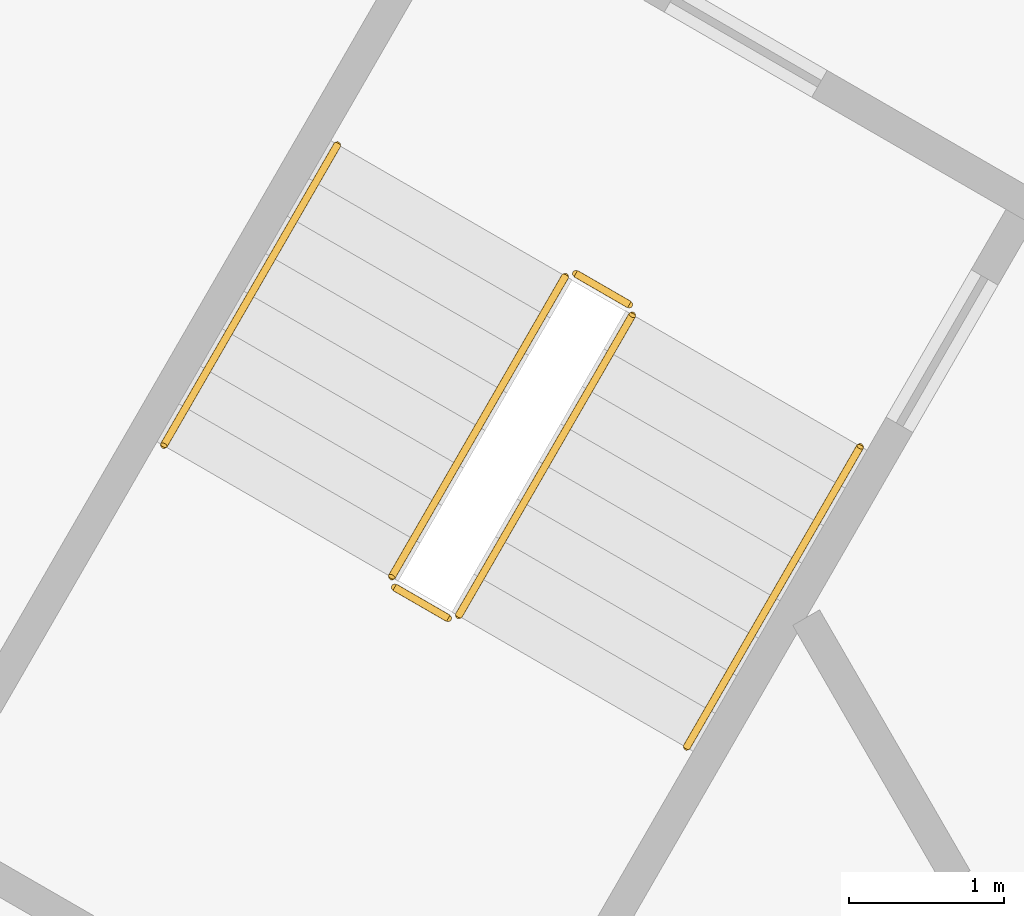
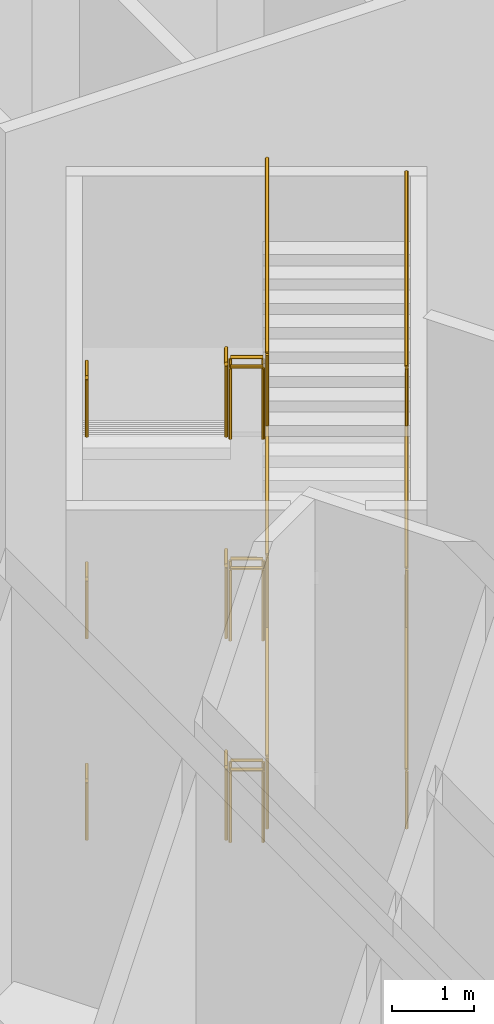
# One storey, part 27 of 36: 18 railings.
"""IFC4 building model written with IfcOpenShell, lengths in metres."""

from ifc_helpers import new_model, si_unit, direction, frame, origin, origin_2d, place, context, subcontext, project, spatial, circle, extrude, material, type_object, element, save


model = new_model("IFC4")

# Units and contexts
model_context = context("Model", 3, precision=1e-05, world=origin(), true_north=direction((0.0, 1.0)))
body_context = subcontext(model_context, "Body", "Model", "MODEL_VIEW")
ifc_project = project(units=[si_unit("LENGTHUNIT", "METRE"), si_unit("AREAUNIT", "SQUARE_METRE"), si_unit("VOLUMEUNIT", "CUBIC_METRE"), si_unit("PLANEANGLEUNIT", "RADIAN"), si_unit("MASSUNIT", "GRAM", prefix="KILO")], contexts=[model_context])

# Site, building, storey
site_placement = place(None, origin())
site = spatial("IfcSite", under=ifc_project, at=site_placement, CompositionType="ELEMENT")
building_placement = place(site_placement, origin())
building = spatial("IfcBuilding", under=site, at=building_placement, Name="Entoto Arch Interchange Tower", CompositionType="ELEMENT")
storey_placement = place(building_placement, origin())
storey = spatial("IfcBuildingStorey", under=building, at=storey_placement, Name="L00", CompositionType="ELEMENT", Elevation=0.0)

# Railings
ifc_material = material(Name="Stainless steel 1.4301", Category="steel")
railing_type_1 = type_object("IfcRailingType", Name="STAIR GUARD 1100 STEEL", PredefinedType="GUARDRAIL", material=ifc_material)
railing_1_placement = place(storey_placement, frame((-4.327880859375, 6.904052734375, 0.166748046875)))
element("IfcRailing", 1, at=railing_1_placement, inside=storey, type_object=railing_type_1, Name="L00 ST-NW stair guard 1", PredefinedType="GUARDRAIL", context=body_context, shape_type="SweptSolid", body=[
    extrude(circle(Radius=0.02392578125, at=origin_2d()), frame((0.0, 0.0, 1.076171875), z_axis=(-0.429608131991, -0.744204538217, 0.51146501173), x_axis=(0.866054910533, -0.49994888933, 0.0)), (0.0, 0.0, 1.0), 2.606689453125),
    extrude(circle(Radius=0.02099609375, at=origin_2d()), origin(), (0.0, 0.0, 1.0), 1.052001953125),
    extrude(circle(Radius=0.02099609375, at=origin_2d()), frame((-0.373291015625, -0.646728515625, 0.4443359375)), (0.0, 0.0, 1.0), 1.052001953125),
    extrude(circle(Radius=0.02099609375, at=origin_2d()), frame((-0.74658203125, -1.293212890625, 0.888916015625)), (0.0, 0.0, 1.0), 1.052001953125),
    extrude(circle(Radius=0.02099609375, at=origin_2d()), frame((-1.119873046875, -1.93994140625, 1.333251953125)), (0.0, 0.0, 1.0), 1.052001953125),
])
railing_2_placement = place(storey_placement, frame((-5.429443359375, 4.895751953125, 1.5)))
element("IfcRailing", 2, at=railing_2_placement, inside=storey, type_object=railing_type_1, Name="L00 ST-NW stair guard 2", PredefinedType="GUARDRAIL", context=body_context, shape_type="SweptSolid", body=[
    extrude(circle(Radius=0.02392578125, at=origin_2d()), frame((0.0, 0.0, 1.076171875), z_axis=(0.865941482684, -0.500145327446, 0.0), x_axis=(0.500145327446, 0.865941482684, 0.0)), (0.0, 0.0, 1.0), 0.39990234375),
    extrude(circle(Radius=0.02099609375, at=origin_2d()), origin(), (0.0, 0.0, 1.0), 1.052001953125),
    extrude(circle(Radius=0.02099609375, at=origin_2d()), frame((0.34619140625, -0.199951171875, 0.0)), (0.0, 0.0, 1.0), 1.052001953125),
])
railing_3_placement = place(storey_placement, frame((-5.014892578125, 4.714111328125, 1.666748046875)))
element("IfcRailing", 3, at=railing_3_placement, inside=storey, type_object=railing_type_1, Name="L00 ST-NW stair guard 3", PredefinedType="GUARDRAIL", context=body_context, shape_type="SweptSolid", body=[
    extrude(circle(Radius=0.02392578125, at=origin_2d()), frame((0.0, 0.0, 1.076171875), z_axis=(0.429684499369, 0.744174592847, 0.511444431354), x_axis=(-0.866007717299, 0.500030632641, 0.0)), (0.0, 0.0, 1.0), 2.60693359375),
    extrude(circle(Radius=0.02099609375, at=origin_2d()), origin(), (0.0, 0.0, 1.0), 1.052001953125),
    extrude(circle(Radius=0.02099609375, at=origin_2d()), frame((0.373291015625, 0.646728515625, 0.4443359375)), (0.0, 0.0, 1.0), 1.052001953125),
    extrude(circle(Radius=0.02099609375, at=origin_2d()), frame((0.746826171875, 1.293212890625, 0.888916015625)), (0.0, 0.0, 1.0), 1.052001953125),
    extrude(circle(Radius=0.02099609375, at=origin_2d()), frame((1.1201171875, 1.93994140625, 1.333251953125)), (0.0, 0.0, 1.0), 1.052001953125),
])
railing_4_placement = place(storey_placement, frame((-4.259521484375, 6.92236328125, 3.0)))
element("IfcRailing", 4, at=railing_4_placement, inside=storey, type_object=railing_type_1, Name="L00 ST-NW stair guard 4", PredefinedType="GUARDRAIL", context=body_context, shape_type="SweptSolid", body=[
    extrude(circle(Radius=0.02392578125, at=origin_2d()), frame((0.0, 0.0, 1.076171875), z_axis=(0.865829829939, -0.500338590944, 0.0), x_axis=(0.500338590944, 0.865829829939, 0.0)), (0.0, 0.0, 1.0), 0.400146484375),
    extrude(circle(Radius=0.02099609375, at=origin_2d()), origin(), (0.0, 0.0, 1.0), 1.052001953125),
    extrude(circle(Radius=0.02099609375, at=origin_2d()), frame((0.346435546875, -0.2001953125, 0.0)), (0.0, 0.0, 1.0), 1.052001953125),
])
railing_5_placement = place(storey_placement, frame((-4.327880859375, 6.904052734375, 3.166748046875)))
element("IfcRailing", 5, at=railing_5_placement, inside=storey, type_object=railing_type_1, Name="L00 ST-NW stair guard 5", PredefinedType="GUARDRAIL", context=body_context, shape_type="SweptSolid", body=[
    extrude(circle(Radius=0.02392578125, at=origin_2d()), frame((0.0, 0.0, 1.076171875), z_axis=(-0.429608131991, -0.744204538217, 0.51146501173), x_axis=(0.866054910533, -0.49994888933, 0.0)), (0.0, 0.0, 1.0), 2.606689453125),
    extrude(circle(Radius=0.02099609375, at=origin_2d()), origin(), (0.0, 0.0, 1.0), 1.052001953125),
    extrude(circle(Radius=0.02099609375, at=origin_2d()), frame((-0.373291015625, -0.646728515625, 0.4443359375)), (0.0, 0.0, 1.0), 1.052001953125),
    extrude(circle(Radius=0.02099609375, at=origin_2d()), frame((-0.74658203125, -1.293212890625, 0.888916015625)), (0.0, 0.0, 1.0), 1.052001953125),
    extrude(circle(Radius=0.02099609375, at=origin_2d()), frame((-1.119873046875, -1.93994140625, 1.333251953125)), (0.0, 0.0, 1.0), 1.052001953125),
])
railing_6_placement = place(storey_placement, frame((-5.429443359375, 4.895751953125, 4.5)))
element("IfcRailing", 6, at=railing_6_placement, inside=storey, type_object=railing_type_1, Name="L00 ST-NW stair guard 6", PredefinedType="GUARDRAIL", context=body_context, shape_type="SweptSolid", body=[
    extrude(circle(Radius=0.02392578125, at=origin_2d()), frame((0.0, 0.0, 1.076171875), z_axis=(0.865941482684, -0.500145327446, 0.0), x_axis=(0.500145327446, 0.865941482684, 0.0)), (0.0, 0.0, 1.0), 0.39990234375),
    extrude(circle(Radius=0.02099609375, at=origin_2d()), origin(), (0.0, 0.0, 1.0), 1.052001953125),
    extrude(circle(Radius=0.02099609375, at=origin_2d()), frame((0.34619140625, -0.199951171875, 0.0)), (0.0, 0.0, 1.0), 1.052001953125),
])
railing_7_placement = place(storey_placement, frame((-5.014892578125, 4.714111328125, 4.666748046875)))
element("IfcRailing", 7, at=railing_7_placement, inside=storey, type_object=railing_type_1, Name="L00 ST-NW stair guard 7", PredefinedType="GUARDRAIL", context=body_context, shape_type="SweptSolid", body=[
    extrude(circle(Radius=0.02392578125, at=origin_2d()), frame((0.0, 0.0, 1.076171875), z_axis=(0.429684499369, 0.744174592847, 0.511444431354), x_axis=(-0.866007717299, 0.500030632641, 0.0)), (0.0, 0.0, 1.0), 2.60693359375),
    extrude(circle(Radius=0.02099609375, at=origin_2d()), origin(), (0.0, 0.0, 1.0), 1.052001953125),
    extrude(circle(Radius=0.02099609375, at=origin_2d()), frame((0.373291015625, 0.646728515625, 0.4443359375)), (0.0, 0.0, 1.0), 1.052001953125),
    extrude(circle(Radius=0.02099609375, at=origin_2d()), frame((0.746826171875, 1.293212890625, 0.888916015625)), (0.0, 0.0, 1.0), 1.052001953125),
    extrude(circle(Radius=0.02099609375, at=origin_2d()), frame((1.1201171875, 1.93994140625, 1.333251953125)), (0.0, 0.0, 1.0), 1.052001953125),
])
railing_8_placement = place(storey_placement, frame((-4.259521484375, 6.92236328125, 6.0)))
element("IfcRailing", 8, at=railing_8_placement, inside=storey, type_object=railing_type_1, Name="L00 ST-NW stair guard 8", PredefinedType="GUARDRAIL", context=body_context, shape_type="SweptSolid", body=[
    extrude(circle(Radius=0.02392578125, at=origin_2d()), frame((0.0, 0.0, 1.076171875), z_axis=(0.865829829939, -0.500338590944, 0.0), x_axis=(0.500338590944, 0.865829829939, 0.0)), (0.0, 0.0, 1.0), 0.400146484375),
    extrude(circle(Radius=0.02099609375, at=origin_2d()), origin(), (0.0, 0.0, 1.0), 1.052001953125),
    extrude(circle(Radius=0.02099609375, at=origin_2d()), frame((0.346435546875, -0.2001953125, 0.0)), (0.0, 0.0, 1.0), 1.052001953125),
])
railing_9_placement = place(storey_placement, frame((-4.327880859375, 6.904052734375, 6.166748046875)))
element("IfcRailing", 9, at=railing_9_placement, inside=storey, type_object=railing_type_1, Name="L00 ST-NW stair guard 9", PredefinedType="GUARDRAIL", context=body_context, shape_type="SweptSolid", body=[
    extrude(circle(Radius=0.02392578125, at=origin_2d()), frame((0.0, 0.0, 1.076171875), z_axis=(-0.429608131991, -0.744204538217, 0.51146501173), x_axis=(0.866054910533, -0.49994888933, 0.0)), (0.0, 0.0, 1.0), 2.606689453125),
    extrude(circle(Radius=0.02099609375, at=origin_2d()), origin(), (0.0, 0.0, 1.0), 1.052001953125),
    extrude(circle(Radius=0.02099609375, at=origin_2d()), frame((-0.373291015625, -0.646728515625, 0.4443359375)), (0.0, 0.0, 1.0), 1.052001953125),
    extrude(circle(Radius=0.02099609375, at=origin_2d()), frame((-0.74658203125, -1.293212890625, 0.888916015625)), (0.0, 0.0, 1.0), 1.052001953125),
    extrude(circle(Radius=0.02099609375, at=origin_2d()), frame((-1.119873046875, -1.93994140625, 1.333251953125)), (0.0, 0.0, 1.0), 1.052001953125),
])
railing_10_placement = place(storey_placement, frame((-5.429443359375, 4.895751953125, 7.5)))
element("IfcRailing", 10, at=railing_10_placement, inside=storey, type_object=railing_type_1, Name="L00 ST-NW stair guard 10", PredefinedType="GUARDRAIL", context=body_context, shape_type="SweptSolid", body=[
    extrude(circle(Radius=0.02392578125, at=origin_2d()), frame((0.0, 0.0, 1.076171875), z_axis=(0.865941482684, -0.500145327446, 0.0), x_axis=(0.500145327446, 0.865941482684, 0.0)), (0.0, 0.0, 1.0), 0.39990234375),
    extrude(circle(Radius=0.02099609375, at=origin_2d()), origin(), (0.0, 0.0, 1.0), 1.052001953125),
    extrude(circle(Radius=0.02099609375, at=origin_2d()), frame((0.34619140625, -0.199951171875, 0.0)), (0.0, 0.0, 1.0), 1.052001953125),
])
railing_11_placement = place(storey_placement, frame((-5.014892578125, 4.714111328125, 7.666748046875)))
element("IfcRailing", 11, at=railing_11_placement, inside=storey, type_object=railing_type_1, Name="L00 ST-NW stair guard 11", PredefinedType="GUARDRAIL", context=body_context, shape_type="SweptSolid", body=[
    extrude(circle(Radius=0.02392578125, at=origin_2d()), frame((0.0, 0.0, 1.076171875), z_axis=(0.429684499369, 0.744174592847, 0.511444431354), x_axis=(-0.866007717299, 0.500030632641, 0.0)), (0.0, 0.0, 1.0), 2.60693359375),
    extrude(circle(Radius=0.02099609375, at=origin_2d()), origin(), (0.0, 0.0, 1.0), 1.052001953125),
    extrude(circle(Radius=0.02099609375, at=origin_2d()), frame((0.373291015625, 0.646728515625, 0.4443359375)), (0.0, 0.0, 1.0), 1.052001953125),
    extrude(circle(Radius=0.02099609375, at=origin_2d()), frame((0.746826171875, 1.293212890625, 0.888916015625)), (0.0, 0.0, 1.0), 1.052001953125),
    extrude(circle(Radius=0.02099609375, at=origin_2d()), frame((1.1201171875, 1.93994140625, 1.333251953125)), (0.0, 0.0, 1.0), 1.052001953125),
])
railing_12_placement = place(storey_placement, frame((-4.259521484375, 6.92236328125, 0.0)))
element("IfcRailing", 12, at=railing_12_placement, inside=storey, type_object=railing_type_1, Name="L00 ST-NW stair guard 12", PredefinedType="GUARDRAIL", context=body_context, shape_type="SweptSolid", body=[
    extrude(circle(Radius=0.02392578125, at=origin_2d()), frame((0.0, 0.0, 1.076171875), z_axis=(0.865829829939, -0.500338590944, 0.0), x_axis=(0.500338590944, 0.865829829939, 0.0)), (0.0, 0.0, 1.0), 0.400146484375),
    extrude(circle(Radius=0.02099609375, at=origin_2d()), origin(), (0.0, 0.0, 1.0), 1.052001953125),
    extrude(circle(Radius=0.02099609375, at=origin_2d()), frame((0.346435546875, -0.2001953125, 0.0)), (0.0, 0.0, 1.0), 1.052001953125),
])
railing_type_2 = type_object("IfcRailingType", Name="STAIR HANDRAIL 900 STEEL", PredefinedType="HANDRAIL", material=ifc_material)
railing_13_placement = place(storey_placement, frame((-5.800048828125, 7.75390625, 0.166748046875)))
element("IfcRailing", 13, at=railing_13_placement, inside=storey, type_object=railing_type_2, Name="L00 ST-NW stair handrail 1", PredefinedType="HANDRAIL", context=body_context, shape_type="SweptSolid", body=[
    extrude(circle(Radius=0.02392578125, at=origin_2d()), frame((0.0, 0.0, 0.8759765625), z_axis=(-0.429684499369, -0.744174592847, 0.511444431354), x_axis=(0.866007717299, -0.500030632641, 0.0)), (0.0, 0.0, 1.0), 2.60693359375),
    extrude(circle(Radius=0.02099609375, at=origin_2d()), origin(), (0.0, 0.0, 1.0), 0.851806640625),
    extrude(circle(Radius=0.02099609375, at=origin_2d()), frame((-0.373291015625, -0.646728515625, 0.4443359375)), (0.0, 0.0, 1.0), 0.851806640625),
    extrude(circle(Radius=0.02099609375, at=origin_2d()), frame((-0.746826171875, -1.293212890625, 0.888916015625)), (0.0, 0.0, 1.0), 0.851806640625),
    extrude(circle(Radius=0.02099609375, at=origin_2d()), frame((-1.1201171875, -1.93994140625, 1.333251953125)), (0.0, 0.0, 1.0), 0.851806640625),
])
railing_14_placement = place(storey_placement, frame((-3.54248046875, 3.864013671875, 1.666748046875)))
element("IfcRailing", 14, at=railing_14_placement, inside=storey, type_object=railing_type_2, Name="L00 ST-NW stair handrail 2", PredefinedType="HANDRAIL", context=body_context, shape_type="SweptSolid", body=[
    extrude(circle(Radius=0.02392578125, at=origin_2d()), frame((0.0, 0.0, 0.8759765625), z_axis=(0.429608131991, 0.744204538217, 0.51146501173), x_axis=(-0.866054910533, 0.49994888933, 0.0)), (0.0, 0.0, 1.0), 2.606689453125),
    extrude(circle(Radius=0.02099609375, at=origin_2d()), origin(), (0.0, 0.0, 1.0), 0.851806640625),
    extrude(circle(Radius=0.02099609375, at=origin_2d()), frame((0.373291015625, 0.646728515625, 0.4443359375)), (0.0, 0.0, 1.0), 0.851806640625),
    extrude(circle(Radius=0.02099609375, at=origin_2d()), frame((0.74658203125, 1.293212890625, 0.888916015625)), (0.0, 0.0, 1.0), 0.851806640625),
    extrude(circle(Radius=0.02099609375, at=origin_2d()), frame((1.119873046875, 1.93994140625, 1.333251953125)), (0.0, 0.0, 1.0), 0.851806640625),
])
railing_15_placement = place(storey_placement, frame((-5.800048828125, 7.75390625, 3.166748046875)))
element("IfcRailing", 15, at=railing_15_placement, inside=storey, type_object=railing_type_2, Name="L00 ST-NW stair handrail 3", PredefinedType="HANDRAIL", context=body_context, shape_type="SweptSolid", body=[
    extrude(circle(Radius=0.02392578125, at=origin_2d()), frame((0.0, 0.0, 0.8759765625), z_axis=(-0.429684499369, -0.744174592847, 0.511444431354), x_axis=(0.866007717299, -0.500030632641, 0.0)), (0.0, 0.0, 1.0), 2.60693359375),
    extrude(circle(Radius=0.02099609375, at=origin_2d()), origin(), (0.0, 0.0, 1.0), 0.851806640625),
    extrude(circle(Radius=0.02099609375, at=origin_2d()), frame((-0.373291015625, -0.646728515625, 0.4443359375)), (0.0, 0.0, 1.0), 0.851806640625),
    extrude(circle(Radius=0.02099609375, at=origin_2d()), frame((-0.746826171875, -1.293212890625, 0.888916015625)), (0.0, 0.0, 1.0), 0.851806640625),
    extrude(circle(Radius=0.02099609375, at=origin_2d()), frame((-1.1201171875, -1.93994140625, 1.333251953125)), (0.0, 0.0, 1.0), 0.851806640625),
])
railing_16_placement = place(storey_placement, frame((-3.54248046875, 3.864013671875, 4.666748046875)))
element("IfcRailing", 16, at=railing_16_placement, inside=storey, type_object=railing_type_2, Name="L00 ST-NW stair handrail 4", PredefinedType="HANDRAIL", context=body_context, shape_type="SweptSolid", body=[
    extrude(circle(Radius=0.02392578125, at=origin_2d()), frame((0.0, 0.0, 0.8759765625), z_axis=(0.429608131991, 0.744204538217, 0.51146501173), x_axis=(-0.866054910533, 0.49994888933, 0.0)), (0.0, 0.0, 1.0), 2.606689453125),
    extrude(circle(Radius=0.02099609375, at=origin_2d()), origin(), (0.0, 0.0, 1.0), 0.851806640625),
    extrude(circle(Radius=0.02099609375, at=origin_2d()), frame((0.373291015625, 0.646728515625, 0.4443359375)), (0.0, 0.0, 1.0), 0.851806640625),
    extrude(circle(Radius=0.02099609375, at=origin_2d()), frame((0.74658203125, 1.293212890625, 0.888916015625)), (0.0, 0.0, 1.0), 0.851806640625),
    extrude(circle(Radius=0.02099609375, at=origin_2d()), frame((1.119873046875, 1.93994140625, 1.333251953125)), (0.0, 0.0, 1.0), 0.851806640625),
])
railing_17_placement = place(storey_placement, frame((-5.800048828125, 7.75390625, 6.166748046875)))
element("IfcRailing", 17, at=railing_17_placement, inside=storey, type_object=railing_type_2, Name="L00 ST-NW stair handrail 5", PredefinedType="HANDRAIL", context=body_context, shape_type="SweptSolid", body=[
    extrude(circle(Radius=0.02392578125, at=origin_2d()), frame((0.0, 0.0, 0.8759765625), z_axis=(-0.429684499369, -0.744174592847, 0.511444431354), x_axis=(0.866007717299, -0.500030632641, 0.0)), (0.0, 0.0, 1.0), 2.60693359375),
    extrude(circle(Radius=0.02099609375, at=origin_2d()), origin(), (0.0, 0.0, 1.0), 0.851806640625),
    extrude(circle(Radius=0.02099609375, at=origin_2d()), frame((-0.373291015625, -0.646728515625, 0.4443359375)), (0.0, 0.0, 1.0), 0.851806640625),
    extrude(circle(Radius=0.02099609375, at=origin_2d()), frame((-0.746826171875, -1.293212890625, 0.888916015625)), (0.0, 0.0, 1.0), 0.851806640625),
    extrude(circle(Radius=0.02099609375, at=origin_2d()), frame((-1.1201171875, -1.93994140625, 1.333251953125)), (0.0, 0.0, 1.0), 0.851806640625),
])
railing_18_placement = place(storey_placement, frame((-3.54248046875, 3.864013671875, 7.666748046875)))
element("IfcRailing", 18, at=railing_18_placement, inside=storey, type_object=railing_type_2, Name="L00 ST-NW stair handrail 6", PredefinedType="HANDRAIL", context=body_context, shape_type="SweptSolid", body=[
    extrude(circle(Radius=0.02392578125, at=origin_2d()), frame((0.0, 0.0, 0.8759765625), z_axis=(0.429608131991, 0.744204538217, 0.51146501173), x_axis=(-0.866054910533, 0.49994888933, 0.0)), (0.0, 0.0, 1.0), 2.606689453125),
    extrude(circle(Radius=0.02099609375, at=origin_2d()), origin(), (0.0, 0.0, 1.0), 0.851806640625),
    extrude(circle(Radius=0.02099609375, at=origin_2d()), frame((0.373291015625, 0.646728515625, 0.4443359375)), (0.0, 0.0, 1.0), 0.851806640625),
    extrude(circle(Radius=0.02099609375, at=origin_2d()), frame((0.74658203125, 1.293212890625, 0.888916015625)), (0.0, 0.0, 1.0), 0.851806640625),
    extrude(circle(Radius=0.02099609375, at=origin_2d()), frame((1.119873046875, 1.93994140625, 1.333251953125)), (0.0, 0.0, 1.0), 0.851806640625),
])

save(model, "model.ifc")
